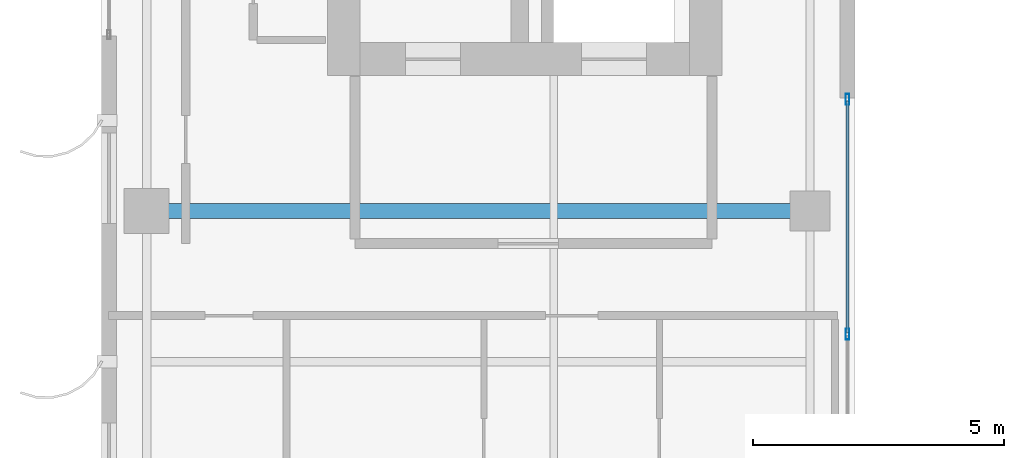
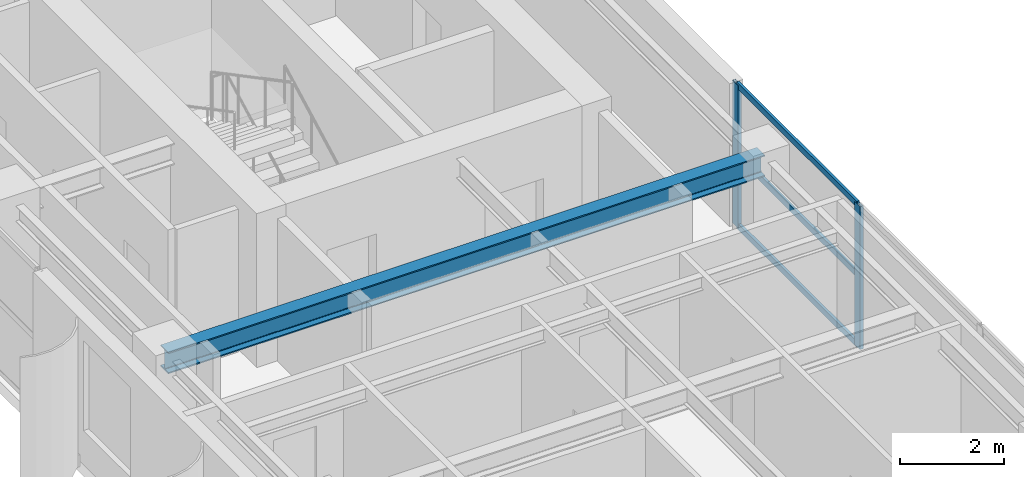
# One storey, part 4 of 22: 5 members, 1 beam, 1 element without a shape of its own.
"""IFC4 building model written with IfcOpenShell, lengths in metres."""

from ifc_helpers import new_model, si_unit, direction, frame, origin, origin_2d, place, context, subcontext, project, spatial, hollow_rectangle, i_section, extrude, source, transform, mapped, material, layer, layer_set, material_profile, profile_set, type_object, element, aggregate, save


model = new_model("IFC4")

# Units and contexts
model_context = context("Model", 3, precision=1e-05, world=origin(), true_north=direction((0.0, 1.0)))
body_context = subcontext(model_context, "Body", "Model", "MODEL_VIEW")
ifc_project = project(units=[si_unit("LENGTHUNIT", "METRE"), si_unit("AREAUNIT", "SQUARE_METRE"), si_unit("VOLUMEUNIT", "CUBIC_METRE"), si_unit("PLANEANGLEUNIT", "RADIAN"), si_unit("MASSUNIT", "GRAM", prefix="KILO")], contexts=[model_context])

# Site, building, storey
site_placement = place(None, origin())
site = spatial("IfcSite", under=ifc_project, at=site_placement, CompositionType="ELEMENT")
building_placement = place(site_placement, origin())
building = spatial("IfcBuilding", under=site, at=building_placement, Name="Khoralis Quay Care Tower", CompositionType="ELEMENT")
storey_placement = place(building_placement, frame((0.0, 0.0, 209.699951171875)))
storey = spatial("IfcBuildingStorey", under=building, at=storey_placement, Name="L55", CompositionType="ELEMENT", Elevation=209.699951171875)

# Beam
ifc_material_1 = material(Name="Steel S355", Category="steel")
ifc_material_profile_1 = material_profile(ifc_material_1, i_section(OverallWidth=0.300048828125, OverallDepth=0.5, WebThickness=0.014404296875, FlangeThickness=0.028076171875, FilletRadius=0.027099609375, at=origin_2d()), Name="Steel S355")
ifc_profile_set_1 = profile_set([ifc_material_profile_1], Name="Steel S355")
beam_type = type_object("IfcBeamType", Name="BM-HEB500", PredefinedType="BEAM", material=ifc_profile_set_1)
shared_shape_1 = source(origin(), body_context, "Body", "SweptSolid", [
    extrude(i_section(OverallWidth=0.300048828125, OverallDepth=0.5, WebThickness=0.014404296875, FlangeThickness=0.028076171875, FilletRadius=0.027099609375, at=origin_2d()), origin(), (0.0, 0.0, 1.0), 13.2001953125),
])
beam_placement = place(storey_placement, frame((3.89990234375, 12.0, 3.090087890625), z_axis=(1.0, 0.0, 0.0), x_axis=(0.0, 1.0, 0.0)))
element("IfcBeam", 1, at=beam_placement, inside=storey, type_object=beam_type, Name="BM-TGXW-L55-120", PredefinedType="BEAM", context=body_context, shape_type="MappedRepresentation", body=[
    mapped(shared_shape_1, transform((0.0, 0.0, 0.0), scale=1.0)),
])

# Curtain wall, members
ifc_material_2 = material(Name="Pale anodised aluminium", Category="aluminium")
ifc_layer = layer(ifc_material_2, 0.18994140625)
ifc_layer_set = layer_set([ifc_layer], Name="Pale anodised aluminium")
curtain_wall_type = type_object("IfcCurtainWallType", Name="CW-SYS-PORTAL", PredefinedType="NOTDEFINED", material=ifc_layer_set)
curtain_wall_placement = place(storey_placement, origin())
curtain_wall = element("IfcCurtainWall", 2, at=curtain_wall_placement, inside=storey, type_object=curtain_wall_type, Name="L55 Unitised Curtain Wall CW-VP-L55-P1-S", PredefinedType="NOTDEFINED")
ifc_material_profile_2 = material_profile(ifc_material_2, hollow_rectangle(XDim=0.074951171875, YDim=0.219970703125, WallThickness=0.00390625, at=origin_2d()), Name="Pale anodised aluminium")
ifc_profile_set_2 = profile_set([ifc_material_profile_2], Name="Pale anodised aluminium")
member_type_1 = type_object("IfcMemberType", Name="CW-MUL-220", PredefinedType="MULLION", material=ifc_profile_set_2)
shared_shape_2 = source(origin(), body_context, "Body", "SweptSolid", [
    extrude(hollow_rectangle(XDim=0.074951171875, YDim=0.219970703125, WallThickness=0.00390625, at=origin_2d()), origin(), (0.0, 0.0, 1.0), 3.340087890625),
])
member_1_placement = place(storey_placement, frame((17.85009765625, 9.550048828125, 0.0), z_axis=(0.0, 0.0, 1.0), x_axis=(-1.0, 0.0, 0.0)))
member_1 = element("IfcMember", 3, at=member_1_placement, type_object=member_type_1, Name="CW4 mullion 3", PredefinedType="MULLION", context=body_context, shape_type="MappedRepresentation", body=[
    mapped(shared_shape_2, transform((0.0, 0.0, 0.0), scale=1.0)),
])
member_2_placement = place(storey_placement, frame((17.85009765625, 14.219970703125, 0.0), z_axis=(0.0, 0.0, 1.0), x_axis=(-1.0, 0.0, 0.0)))
member_2 = element("IfcMember", 4, at=member_2_placement, type_object=member_type_1, Name="CW4 mullion 4", PredefinedType="MULLION", context=body_context, shape_type="MappedRepresentation", body=[
    mapped(shared_shape_2, transform((0.0, 0.0, 0.0), scale=1.0)),
])
ifc_material_profile_3 = material_profile(ifc_material_2, hollow_rectangle(XDim=0.06005859375, YDim=0.139892578125, WallThickness=0.00390625, at=origin_2d()), Name="Pale anodised aluminium")
ifc_profile_set_3 = profile_set([ifc_material_profile_3], Name="Pale anodised aluminium")
member_type_2 = type_object("IfcMemberType", Name="CW-TRN-140", PredefinedType="USERDEFINED", material=ifc_profile_set_3)
shared_shape_3 = source(origin(), body_context, "Body", "SweptSolid", [
    extrude(hollow_rectangle(XDim=0.06005859375, YDim=0.139892578125, WallThickness=0.00390625, at=origin_2d()), origin(), (0.0, 0.0, 1.0), 4.60986328125),
])
member_3_placement = place(storey_placement, frame((17.85009765625, 9.580078125, 0.030029296875), z_axis=(0.0, 1.0, 0.0), x_axis=(-1.0, 0.0, 0.0)))
member_3 = element("IfcMember", 5, at=member_3_placement, type_object=member_type_2, Name="CW4 transom 3.1", ObjectType="TRANSOM", PredefinedType="USERDEFINED", context=body_context, shape_type="MappedRepresentation", body=[
    mapped(shared_shape_3, transform((0.0, 0.0, 0.0), scale=1.0)),
])
member_4_placement = place(storey_placement, frame((17.85009765625, 9.580078125, 1.670166015625), z_axis=(0.0, 1.0, 0.0), x_axis=(-1.0, 0.0, 0.0)))
member_4 = element("IfcMember", 6, at=member_4_placement, type_object=member_type_2, Name="CW4 transom 3.2", ObjectType="TRANSOM", PredefinedType="USERDEFINED", context=body_context, shape_type="MappedRepresentation", body=[
    mapped(shared_shape_3, transform((0.0, 0.0, 0.0), scale=1.0)),
])
member_5_placement = place(storey_placement, frame((17.85009765625, 9.580078125, 3.31005859375), z_axis=(0.0, 1.0, 0.0), x_axis=(-1.0, 0.0, 0.0)))
member_5 = element("IfcMember", 7, at=member_5_placement, type_object=member_type_2, Name="CW4 transom 3.3", ObjectType="TRANSOM", PredefinedType="USERDEFINED", context=body_context, shape_type="MappedRepresentation", body=[
    mapped(shared_shape_3, transform((0.0, 0.0, 0.0), scale=1.0)),
])
aggregate(curtain_wall, [member_1, member_2, member_3, member_4, member_5])

save(model, "model.ifc")
